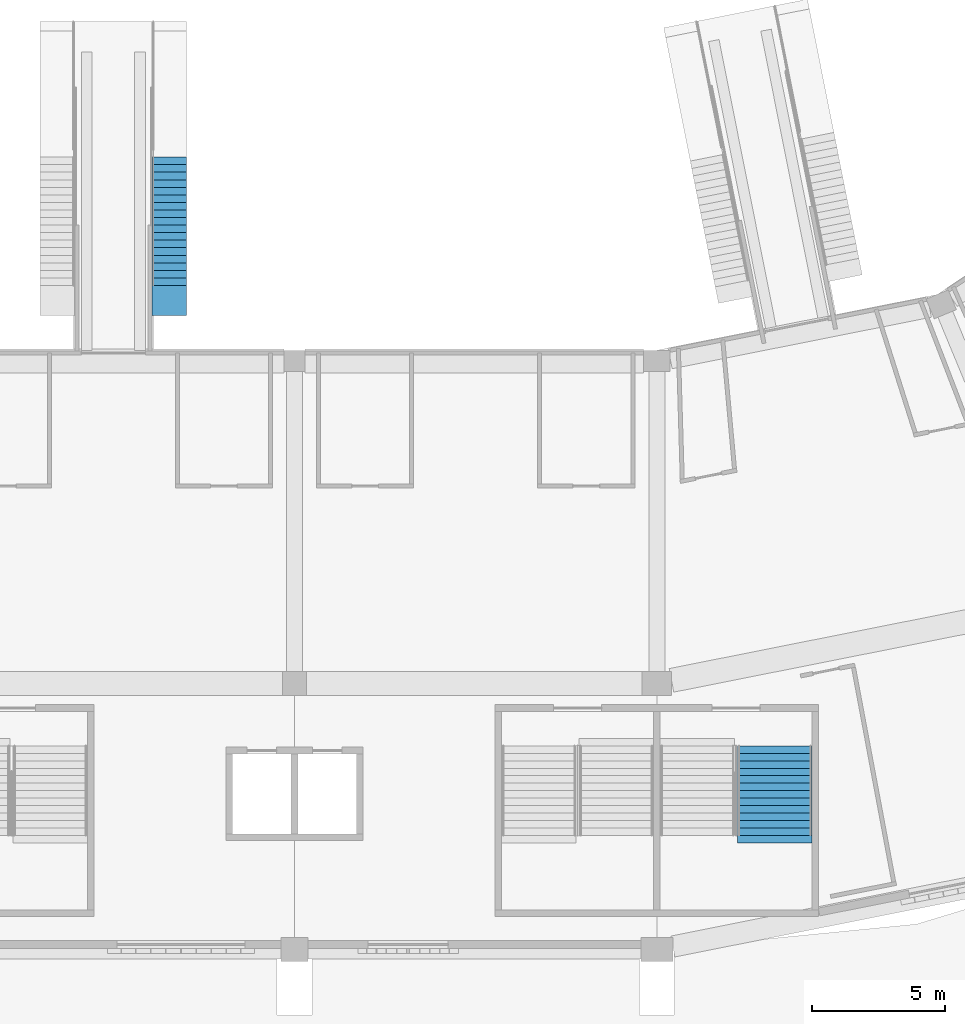
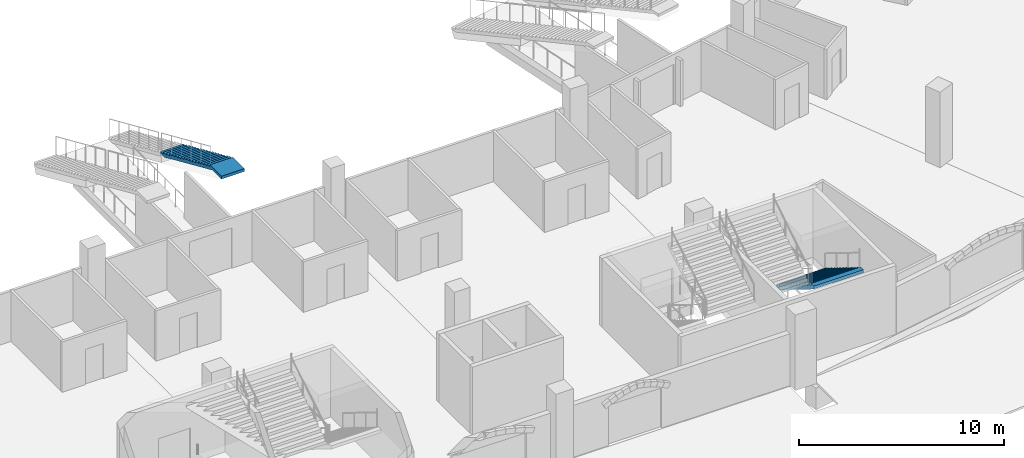
# One storey, part 71 of 175: 2 stair flights, 2 elements without a shape of their own.
"""IFC4 building model written with IfcOpenShell, lengths in metres."""

from ifc_helpers import new_model, si_unit, direction, frame, origin, place, context, subcontext, project, spatial, faceted_brep, material, type_object, element, aggregate, save


model = new_model("IFC4")

# Units and contexts
model_context = context("Model", 3, precision=1e-05, world=origin(), true_north=direction((0.0, 1.0)))
body_context = subcontext(model_context, "Body", "Model", "MODEL_VIEW")
ifc_project = project(units=[si_unit("LENGTHUNIT", "METRE"), si_unit("AREAUNIT", "SQUARE_METRE"), si_unit("VOLUMEUNIT", "CUBIC_METRE"), si_unit("PLANEANGLEUNIT", "RADIAN"), si_unit("MASSUNIT", "GRAM", prefix="KILO")], contexts=[model_context])

# Site, building, storey
site_placement = place(None, origin())
site = spatial("IfcSite", under=ifc_project, at=site_placement, CompositionType="ELEMENT")
building_placement = place(site_placement, origin())
building = spatial("IfcBuilding", under=site, at=building_placement, Name="Ogive Plaza Stadium", CompositionType="ELEMENT")
storey_placement = place(building_placement, origin())
storey = spatial("IfcBuildingStorey", under=building, at=storey_placement, Name="L00", CompositionType="ELEMENT", Elevation=0.0)

# Stair, stair flight
ifc_material_1 = material(Name="Concrete C40/50", Category="concrete")
stair_type_1 = type_object("IfcStairType", Name="Aisle stair", PredefinedType="STRAIGHT_RUN_STAIR", material=ifc_material_1)
stair_1_placement = place(storey_placement, origin())
stair_1 = element("IfcStair", 1, at=stair_1_placement, inside=storey, type_object=stair_type_1, Name="Aisle stair SA13R", PredefinedType="STRAIGHT_RUN_STAIR")
ifc_material_2 = material(Name="Concrete C40/50", Category="concrete")
stair_flight_type_1 = type_object("IfcStairFlightType", Name="Aisle stair flight", PredefinedType="STRAIGHT", material=ifc_material_2)
stair_flight_1_placement = place(storey_placement, frame((15.699951171875, -72.75, 2.25), z_axis=(0.0, 0.0, 1.0), x_axis=(0.0, -1.0, 0.0)))
stair_flight_1 = element("IfcStairFlight", 2, at=stair_flight_1_placement, type_object=stair_flight_type_1, Name="SA13R flight 2", NumberOfRisers=18, NumberOfTreads=17, PredefinedType="STRAIGHT", RiserHeight=0.125, TreadLength=0.283333333, context=body_context, shape_type="Brep", body=[
    faceted_brep([(0.371337890625, -0.64990234375, 0.0), (5.10009765625, -0.64990234375, 2.086181640625), (5.949951171875, -0.64990234375, 2.086181640625), (5.949951171875, -0.64990234375, 2.25), (4.816650390625, -0.64990234375, 2.25), (4.816650390625, -0.64990234375, 2.125), (4.533447265625, -0.64990234375, 2.125), (4.533447265625, -0.64990234375, 2.0), (4.25, -0.64990234375, 2.0), (4.25, -0.64990234375, 1.875), (3.966552734375, -0.64990234375, 1.875), (3.966552734375, -0.64990234375, 1.75), (3.683349609375, -0.64990234375, 1.75), (3.683349609375, -0.64990234375, 1.625), (3.39990234375, -0.64990234375, 1.625), (3.39990234375, -0.64990234375, 1.5), (3.11669921875, -0.64990234375, 1.5), (3.11669921875, -0.64990234375, 1.375), (2.833251953125, -0.64990234375, 1.375), (2.833251953125, -0.64990234375, 1.25), (2.550048828125, -0.64990234375, 1.25), (2.550048828125, -0.64990234375, 1.125), (2.2666015625, -0.64990234375, 1.125), (2.2666015625, -0.64990234375, 1.0), (1.9833984375, -0.64990234375, 1.0), (1.9833984375, -0.64990234375, 0.875), (1.699951171875, -0.64990234375, 0.875), (1.699951171875, -0.64990234375, 0.75), (1.416748046875, -0.64990234375, 0.75), (1.416748046875, -0.64990234375, 0.625), (1.13330078125, -0.64990234375, 0.625), (1.13330078125, -0.64990234375, 0.5), (0.85009765625, -0.64990234375, 0.5), (0.85009765625, -0.64990234375, 0.375), (0.566650390625, -0.64990234375, 0.375), (0.566650390625, -0.64990234375, 0.25), (0.283447265625, -0.64990234375, 0.25), (0.283447265625, -0.64990234375, 0.125), (0.0, -0.64990234375, 0.125), (0.0, -0.64990234375, 0.0), (0.0, 0.64990234375, 0.0), (0.0, 0.64990234375, 0.125), (0.283447265625, 0.64990234375, 0.125), (0.283447265625, 0.64990234375, 0.25), (0.566650390625, 0.64990234375, 0.25), (0.566650390625, 0.64990234375, 0.375), (0.85009765625, 0.64990234375, 0.375), (0.85009765625, 0.64990234375, 0.5), (1.13330078125, 0.64990234375, 0.5), (1.13330078125, 0.64990234375, 0.625), (1.416748046875, 0.64990234375, 0.625), (1.416748046875, 0.64990234375, 0.75), (1.699951171875, 0.64990234375, 0.75), (1.699951171875, 0.64990234375, 0.875), (1.9833984375, 0.64990234375, 0.875), (1.9833984375, 0.64990234375, 1.0), (2.2666015625, 0.64990234375, 1.0), (2.2666015625, 0.64990234375, 1.125), (2.550048828125, 0.64990234375, 1.125), (2.550048828125, 0.64990234375, 1.25), (2.833251953125, 0.64990234375, 1.25), (2.833251953125, 0.64990234375, 1.375), (3.11669921875, 0.64990234375, 1.375), (3.11669921875, 0.64990234375, 1.5), (3.39990234375, 0.64990234375, 1.5), (3.39990234375, 0.64990234375, 1.625), (3.683349609375, 0.64990234375, 1.625), (3.683349609375, 0.64990234375, 1.75), (3.966552734375, 0.64990234375, 1.75), (3.966552734375, 0.64990234375, 1.875), (4.25, 0.64990234375, 1.875), (4.25, 0.64990234375, 2.0), (4.533447265625, 0.64990234375, 2.0), (4.533447265625, 0.64990234375, 2.125), (4.816650390625, 0.64990234375, 2.125), (4.816650390625, 0.64990234375, 2.25), (5.949951171875, 0.64990234375, 2.25), (5.949951171875, 0.64990234375, 2.086181640625), (5.10009765625, 0.64990234375, 2.086181640625), (0.371337890625, 0.64990234375, 0.0), (0.371337890625, -0.324951171875, 0.0), (5.10009765625, -0.324951171875, 2.086181640625), (0.371337890625, 0.0, 0.0), (5.10009765625, 0.0, 2.086181640625), (0.371337890625, 0.324951171875, 0.0), (5.10009765625, 0.324951171875, 2.086181640625), (5.949951171875, -0.324951171875, 2.086181640625), (5.949951171875, 0.0, 2.086181640625), (5.949951171875, 0.324951171875, 2.086181640625), (5.949951171875, -0.324951171875, 2.25), (5.949951171875, 0.0, 2.25), (5.949951171875, 0.324951171875, 2.25), (4.816650390625, -0.324951171875, 2.25), (4.816650390625, 0.0, 2.25), (4.816650390625, 0.324951171875, 2.25), (4.816650390625, -0.324951171875, 2.125), (4.816650390625, 0.0, 2.125), (4.816650390625, 0.324951171875, 2.125), (4.533447265625, -0.324951171875, 2.125), (4.533447265625, 0.0, 2.125), (4.533447265625, 0.324951171875, 2.125), (4.533447265625, -0.324951171875, 2.0), (4.533447265625, 0.0, 2.0), (4.533447265625, 0.324951171875, 2.0), (4.25, -0.324951171875, 2.0), (4.25, 0.0, 2.0), (4.25, 0.324951171875, 2.0), (4.25, -0.324951171875, 1.875), (4.25, 0.0, 1.875), (4.25, 0.324951171875, 1.875), (3.966552734375, -0.324951171875, 1.875), (3.966552734375, 0.0, 1.875), (3.966552734375, 0.324951171875, 1.875), (3.966552734375, -0.324951171875, 1.75), (3.966552734375, 0.0, 1.75), (3.966552734375, 0.324951171875, 1.75), (3.683349609375, -0.324951171875, 1.75), (3.683349609375, 0.0, 1.75), (3.683349609375, 0.324951171875, 1.75), (3.683349609375, -0.324951171875, 1.625), (3.683349609375, 0.0, 1.625), (3.683349609375, 0.324951171875, 1.625), (3.39990234375, -0.324951171875, 1.625), (3.39990234375, 0.0, 1.625), (3.39990234375, 0.324951171875, 1.625), (3.39990234375, -0.324951171875, 1.5), (3.39990234375, 0.0, 1.5), (3.39990234375, 0.324951171875, 1.5), (3.11669921875, -0.324951171875, 1.5), (3.11669921875, 0.0, 1.5), (3.11669921875, 0.324951171875, 1.5), (3.11669921875, -0.324951171875, 1.375), (3.11669921875, 0.0, 1.375), (3.11669921875, 0.324951171875, 1.375), (2.833251953125, -0.324951171875, 1.375), (2.833251953125, 0.0, 1.375), (2.833251953125, 0.324951171875, 1.375), (2.833251953125, -0.324951171875, 1.25), (2.833251953125, 0.0, 1.25), (2.833251953125, 0.324951171875, 1.25), (2.550048828125, -0.324951171875, 1.25), (2.550048828125, 0.0, 1.25), (2.550048828125, 0.324951171875, 1.25), (2.550048828125, -0.324951171875, 1.125), (2.550048828125, 0.0, 1.125), (2.550048828125, 0.324951171875, 1.125), (2.2666015625, -0.324951171875, 1.125), (2.2666015625, 0.0, 1.125), (2.2666015625, 0.324951171875, 1.125), (2.2666015625, -0.324951171875, 1.0), (2.2666015625, 0.0, 1.0), (2.2666015625, 0.324951171875, 1.0), (1.9833984375, -0.324951171875, 1.0), (1.9833984375, 0.0, 1.0), (1.9833984375, 0.324951171875, 1.0), (1.9833984375, -0.324951171875, 0.875), (1.9833984375, 0.0, 0.875), (1.9833984375, 0.324951171875, 0.875), (1.699951171875, -0.324951171875, 0.875), (1.699951171875, 0.0, 0.875), (1.699951171875, 0.324951171875, 0.875), (1.699951171875, -0.324951171875, 0.75), (1.699951171875, 0.0, 0.75), (1.699951171875, 0.324951171875, 0.75), (1.416748046875, -0.324951171875, 0.75), (1.416748046875, 0.0, 0.75), (1.416748046875, 0.324951171875, 0.75), (1.416748046875, -0.324951171875, 0.625), (1.416748046875, 0.0, 0.625), (1.416748046875, 0.324951171875, 0.625), (1.13330078125, -0.324951171875, 0.625), (1.13330078125, 0.0, 0.625), (1.13330078125, 0.324951171875, 0.625), (1.13330078125, -0.324951171875, 0.5), (1.13330078125, 0.0, 0.5), (1.13330078125, 0.324951171875, 0.5), (0.85009765625, -0.324951171875, 0.5), (0.85009765625, 0.0, 0.5), (0.85009765625, 0.324951171875, 0.5), (0.85009765625, -0.324951171875, 0.375), (0.85009765625, 0.0, 0.375), (0.85009765625, 0.324951171875, 0.375), (0.566650390625, -0.324951171875, 0.375), (0.566650390625, 0.0, 0.375), (0.566650390625, 0.324951171875, 0.375), (0.566650390625, -0.324951171875, 0.25), (0.566650390625, 0.0, 0.25), (0.566650390625, 0.324951171875, 0.25), (0.283447265625, -0.324951171875, 0.25), (0.283447265625, 0.0, 0.25), (0.283447265625, 0.324951171875, 0.25), (0.283447265625, -0.324951171875, 0.125), (0.283447265625, 0.0, 0.125), (0.283447265625, 0.324951171875, 0.125), (0.0, -0.324951171875, 0.125), (0.0, 0.0, 0.125), (0.0, 0.324951171875, 0.125), (0.0, -0.324951171875, 0.0), (0.0, 0.0, 0.0), (0.0, 0.324951171875, 0.0)], [[[0, 1, 2, 3, 4, 5, 6, 7, 8, 9, 10, 11, 12, 13, 14, 15, 16, 17, 18, 19, 20, 21, 22, 23, 24, 25, 26, 27, 28, 29, 30, 31, 32, 33, 34, 35, 36, 37, 38, 39]], [[40, 41, 42, 43, 44, 45, 46, 47, 48, 49, 50, 51, 52, 53, 54, 55, 56, 57, 58, 59, 60, 61, 62, 63, 64, 65, 66, 67, 68, 69, 70, 71, 72, 73, 74, 75, 76, 77, 78, 79]], [[0, 80, 81, 1]], [[80, 82, 83, 81]], [[82, 84, 85, 83]], [[84, 79, 78, 85]], [[1, 81, 86, 2]], [[81, 83, 87, 86]], [[83, 85, 88, 87]], [[85, 78, 77, 88]], [[2, 86, 89, 3]], [[86, 87, 90, 89]], [[87, 88, 91, 90]], [[88, 77, 76, 91]], [[3, 89, 92, 4]], [[89, 90, 93, 92]], [[90, 91, 94, 93]], [[91, 76, 75, 94]], [[4, 92, 95, 5]], [[92, 93, 96, 95]], [[93, 94, 97, 96]], [[94, 75, 74, 97]], [[5, 95, 98, 6]], [[95, 96, 99, 98]], [[96, 97, 100, 99]], [[97, 74, 73, 100]], [[6, 98, 101, 7]], [[98, 99, 102, 101]], [[99, 100, 103, 102]], [[100, 73, 72, 103]], [[7, 101, 104, 8]], [[101, 102, 105, 104]], [[102, 103, 106, 105]], [[103, 72, 71, 106]], [[8, 104, 107, 9]], [[104, 105, 108, 107]], [[105, 106, 109, 108]], [[106, 71, 70, 109]], [[9, 107, 110, 10]], [[107, 108, 111, 110]], [[108, 109, 112, 111]], [[109, 70, 69, 112]], [[10, 110, 113, 11]], [[110, 111, 114, 113]], [[111, 112, 115, 114]], [[112, 69, 68, 115]], [[11, 113, 116, 12]], [[113, 114, 117, 116]], [[114, 115, 118, 117]], [[115, 68, 67, 118]], [[12, 116, 119, 13]], [[116, 117, 120, 119]], [[117, 118, 121, 120]], [[118, 67, 66, 121]], [[13, 119, 122, 14]], [[119, 120, 123, 122]], [[120, 121, 124, 123]], [[121, 66, 65, 124]], [[14, 122, 125, 15]], [[122, 123, 126, 125]], [[123, 124, 127, 126]], [[124, 65, 64, 127]], [[15, 125, 128, 16]], [[125, 126, 129, 128]], [[126, 127, 130, 129]], [[127, 64, 63, 130]], [[16, 128, 131, 17]], [[128, 129, 132, 131]], [[129, 130, 133, 132]], [[130, 63, 62, 133]], [[17, 131, 134, 18]], [[131, 132, 135, 134]], [[132, 133, 136, 135]], [[133, 62, 61, 136]], [[18, 134, 137, 19]], [[134, 135, 138, 137]], [[135, 136, 139, 138]], [[136, 61, 60, 139]], [[19, 137, 140, 20]], [[137, 138, 141, 140]], [[138, 139, 142, 141]], [[139, 60, 59, 142]], [[20, 140, 143, 21]], [[140, 141, 144, 143]], [[141, 142, 145, 144]], [[142, 59, 58, 145]], [[21, 143, 146, 22]], [[143, 144, 147, 146]], [[144, 145, 148, 147]], [[145, 58, 57, 148]], [[22, 146, 149, 23]], [[146, 147, 150, 149]], [[147, 148, 151, 150]], [[148, 57, 56, 151]], [[23, 149, 152, 24]], [[149, 150, 153, 152]], [[150, 151, 154, 153]], [[151, 56, 55, 154]], [[24, 152, 155, 25]], [[152, 153, 156, 155]], [[153, 154, 157, 156]], [[154, 55, 54, 157]], [[25, 155, 158, 26]], [[155, 156, 159, 158]], [[156, 157, 160, 159]], [[157, 54, 53, 160]], [[26, 158, 161, 27]], [[158, 159, 162, 161]], [[159, 160, 163, 162]], [[160, 53, 52, 163]], [[27, 161, 164, 28]], [[161, 162, 165, 164]], [[162, 163, 166, 165]], [[163, 52, 51, 166]], [[28, 164, 167, 29]], [[164, 165, 168, 167]], [[165, 166, 169, 168]], [[166, 51, 50, 169]], [[29, 167, 170, 30]], [[167, 168, 171, 170]], [[168, 169, 172, 171]], [[169, 50, 49, 172]], [[30, 170, 173, 31]], [[170, 171, 174, 173]], [[171, 172, 175, 174]], [[172, 49, 48, 175]], [[31, 173, 176, 32]], [[173, 174, 177, 176]], [[174, 175, 178, 177]], [[175, 48, 47, 178]], [[32, 176, 179, 33]], [[176, 177, 180, 179]], [[177, 178, 181, 180]], [[178, 47, 46, 181]], [[33, 179, 182, 34]], [[179, 180, 183, 182]], [[180, 181, 184, 183]], [[181, 46, 45, 184]], [[34, 182, 185, 35]], [[182, 183, 186, 185]], [[183, 184, 187, 186]], [[184, 45, 44, 187]], [[35, 185, 188, 36]], [[185, 186, 189, 188]], [[186, 187, 190, 189]], [[187, 44, 43, 190]], [[36, 188, 191, 37]], [[188, 189, 192, 191]], [[189, 190, 193, 192]], [[190, 43, 42, 193]], [[37, 191, 194, 38]], [[191, 192, 195, 194]], [[192, 193, 196, 195]], [[193, 42, 41, 196]], [[38, 194, 197, 39]], [[194, 195, 198, 197]], [[195, 196, 199, 198]], [[196, 41, 40, 199]], [[39, 197, 80, 0]], [[197, 198, 82, 80]], [[198, 199, 84, 82]], [[199, 40, 79, 84]]]),
])
aggregate(stair_1, [stair_flight_1])

ifc_material_3 = material(Name="Concrete C40/50", Category="concrete")
stair_type_2 = type_object("IfcStairType", Name="Exit stair", PredefinedType="STRAIGHT_RUN_STAIR", material=ifc_material_3)
stair_2_placement = place(storey_placement, origin())
stair_2 = element("IfcStair", 3, at=stair_2_placement, inside=storey, type_object=stair_type_2, Name="Exit stair ST12B L00 to L01", PredefinedType="STRAIGHT_RUN_STAIR")
ifc_material_4 = material(Name="Concrete C40/50", Category="concrete")
stair_flight_type_2 = type_object("IfcStairFlightType", Name="Exit stair flight", PredefinedType="STRAIGHT", material=ifc_material_4)
stair_flight_2_placement = place(storey_placement, frame((38.425048828125, -94.85009765625, 0.0), z_axis=(0.0, 0.0, 1.0), x_axis=(0.0, -1.0, 0.0)))
stair_flight_2 = element("IfcStairFlight", 4, at=stair_flight_2_placement, type_object=stair_flight_type_2, Name="ST12B flight 1", NumberOfRisers=13, NumberOfTreads=12, PredefinedType="STRAIGHT", RiserHeight=0.173076923, TreadLength=0.28, context=body_context, shape_type="Brep", body=[
    faceted_brep([(0.28515625, -1.39990234375, 0.0), (3.639892578125, -1.39990234375, 2.07373046875), (3.639892578125, -1.39990234375, 2.25), (3.360107421875, -1.39990234375, 2.25), (3.360107421875, -1.39990234375, 2.076904296875), (3.080078125, -1.39990234375, 2.076904296875), (3.080078125, -1.39990234375, 1.90380859375), (2.800048828125, -1.39990234375, 1.90380859375), (2.800048828125, -1.39990234375, 1.730712890625), (2.52001953125, -1.39990234375, 1.730712890625), (2.52001953125, -1.39990234375, 1.5576171875), (2.239990234375, -1.39990234375, 1.5576171875), (2.239990234375, -1.39990234375, 1.384521484375), (1.9599609375, -1.39990234375, 1.384521484375), (1.9599609375, -1.39990234375, 1.21142578125), (1.679931640625, -1.39990234375, 1.21142578125), (1.679931640625, -1.39990234375, 1.03857421875), (1.39990234375, -1.39990234375, 1.03857421875), (1.39990234375, -1.39990234375, 0.865478515625), (1.1201171875, -1.39990234375, 0.865478515625), (1.1201171875, -1.39990234375, 0.6923828125), (0.840087890625, -1.39990234375, 0.6923828125), (0.840087890625, -1.39990234375, 0.519287109375), (0.56005859375, -1.39990234375, 0.519287109375), (0.56005859375, -1.39990234375, 0.34619140625), (0.280029296875, -1.39990234375, 0.34619140625), (0.280029296875, -1.39990234375, 0.173095703125), (0.0, -1.39990234375, 0.173095703125), (0.0, -1.39990234375, 0.0), (0.0, 1.39990234375, 0.0), (0.0, 1.39990234375, 0.173095703125), (0.280029296875, 1.39990234375, 0.173095703125), (0.280029296875, 1.39990234375, 0.34619140625), (0.56005859375, 1.39990234375, 0.34619140625), (0.56005859375, 1.39990234375, 0.519287109375), (0.840087890625, 1.39990234375, 0.519287109375), (0.840087890625, 1.39990234375, 0.6923828125), (1.1201171875, 1.39990234375, 0.6923828125), (1.1201171875, 1.39990234375, 0.865478515625), (1.39990234375, 1.39990234375, 0.865478515625), (1.39990234375, 1.39990234375, 1.03857421875), (1.679931640625, 1.39990234375, 1.03857421875), (1.679931640625, 1.39990234375, 1.21142578125), (1.9599609375, 1.39990234375, 1.21142578125), (1.9599609375, 1.39990234375, 1.384521484375), (2.239990234375, 1.39990234375, 1.384521484375), (2.239990234375, 1.39990234375, 1.5576171875), (2.52001953125, 1.39990234375, 1.5576171875), (2.52001953125, 1.39990234375, 1.730712890625), (2.800048828125, 1.39990234375, 1.730712890625), (2.800048828125, 1.39990234375, 1.90380859375), (3.080078125, 1.39990234375, 1.90380859375), (3.080078125, 1.39990234375, 2.076904296875), (3.360107421875, 1.39990234375, 2.076904296875), (3.360107421875, 1.39990234375, 2.25), (3.639892578125, 1.39990234375, 2.25), (3.639892578125, 1.39990234375, 2.07373046875), (0.28515625, 1.39990234375, 0.0), (0.28515625, -1.0888671875, 0.0), (3.639892578125, -1.0888671875, 2.07373046875), (0.28515625, -0.77783203125, 0.0), (3.639892578125, -0.77783203125, 2.07373046875), (0.28515625, -0.466796875, 0.0), (3.639892578125, -0.466796875, 2.07373046875), (0.28515625, -0.155517578125, 0.0), (3.639892578125, -0.155517578125, 2.07373046875), (0.28515625, 0.155517578125, 0.0), (3.639892578125, 0.155517578125, 2.07373046875), (0.28515625, 0.466796875, 0.0), (3.639892578125, 0.466796875, 2.07373046875), (0.28515625, 0.77783203125, 0.0), (3.639892578125, 0.77783203125, 2.07373046875), (0.28515625, 1.0888671875, 0.0), (3.639892578125, 1.0888671875, 2.07373046875), (3.639892578125, -1.0888671875, 2.25), (3.639892578125, -0.77783203125, 2.25), (3.639892578125, -0.466796875, 2.25), (3.639892578125, -0.155517578125, 2.25), (3.639892578125, 0.155517578125, 2.25), (3.639892578125, 0.466796875, 2.25), (3.639892578125, 0.77783203125, 2.25), (3.639892578125, 1.0888671875, 2.25), (3.360107421875, -1.0888671875, 2.25), (3.360107421875, -0.77783203125, 2.25), (3.360107421875, -0.466796875, 2.25), (3.360107421875, -0.155517578125, 2.25), (3.360107421875, 0.155517578125, 2.25), (3.360107421875, 0.466796875, 2.25), (3.360107421875, 0.77783203125, 2.25), (3.360107421875, 1.0888671875, 2.25), (3.360107421875, -1.0888671875, 2.076904296875), (3.360107421875, -0.77783203125, 2.076904296875), (3.360107421875, -0.466796875, 2.076904296875), (3.360107421875, -0.155517578125, 2.076904296875), (3.360107421875, 0.155517578125, 2.076904296875), (3.360107421875, 0.466796875, 2.076904296875), (3.360107421875, 0.77783203125, 2.076904296875), (3.360107421875, 1.0888671875, 2.076904296875), (3.080078125, -1.0888671875, 2.076904296875), (3.080078125, -0.77783203125, 2.076904296875), (3.080078125, -0.466796875, 2.076904296875), (3.080078125, -0.155517578125, 2.076904296875), (3.080078125, 0.155517578125, 2.076904296875), (3.080078125, 0.466796875, 2.076904296875), (3.080078125, 0.77783203125, 2.076904296875), (3.080078125, 1.0888671875, 2.076904296875), (3.080078125, -1.0888671875, 1.90380859375), (3.080078125, -0.77783203125, 1.90380859375), (3.080078125, -0.466796875, 1.90380859375), (3.080078125, -0.155517578125, 1.90380859375), (3.080078125, 0.155517578125, 1.90380859375), (3.080078125, 0.466796875, 1.90380859375), (3.080078125, 0.77783203125, 1.90380859375), (3.080078125, 1.0888671875, 1.90380859375), (2.800048828125, -1.0888671875, 1.90380859375), (2.800048828125, -0.77783203125, 1.90380859375), (2.800048828125, -0.466796875, 1.90380859375), (2.800048828125, -0.155517578125, 1.90380859375), (2.800048828125, 0.155517578125, 1.90380859375), (2.800048828125, 0.466796875, 1.90380859375), (2.800048828125, 0.77783203125, 1.90380859375), (2.800048828125, 1.0888671875, 1.90380859375), (2.800048828125, -1.0888671875, 1.730712890625), (2.800048828125, -0.77783203125, 1.730712890625), (2.800048828125, -0.466796875, 1.730712890625), (2.800048828125, -0.155517578125, 1.730712890625), (2.800048828125, 0.155517578125, 1.730712890625), (2.800048828125, 0.466796875, 1.730712890625), (2.800048828125, 0.77783203125, 1.730712890625), (2.800048828125, 1.0888671875, 1.730712890625), (2.52001953125, -1.0888671875, 1.730712890625), (2.52001953125, -0.77783203125, 1.730712890625), (2.52001953125, -0.466796875, 1.730712890625), (2.52001953125, -0.155517578125, 1.730712890625), (2.52001953125, 0.155517578125, 1.730712890625), (2.52001953125, 0.466796875, 1.730712890625), (2.52001953125, 0.77783203125, 1.730712890625), (2.52001953125, 1.0888671875, 1.730712890625), (2.52001953125, -1.0888671875, 1.5576171875), (2.52001953125, -0.77783203125, 1.5576171875), (2.52001953125, -0.466796875, 1.5576171875), (2.52001953125, -0.155517578125, 1.5576171875), (2.52001953125, 0.155517578125, 1.5576171875), (2.52001953125, 0.466796875, 1.5576171875), (2.52001953125, 0.77783203125, 1.5576171875), (2.52001953125, 1.0888671875, 1.5576171875), (2.239990234375, -1.0888671875, 1.5576171875), (2.239990234375, -0.77783203125, 1.5576171875), (2.239990234375, -0.466796875, 1.5576171875), (2.239990234375, -0.155517578125, 1.5576171875), (2.239990234375, 0.155517578125, 1.5576171875), (2.239990234375, 0.466796875, 1.5576171875), (2.239990234375, 0.77783203125, 1.5576171875), (2.239990234375, 1.0888671875, 1.5576171875), (2.239990234375, -1.0888671875, 1.384521484375), (2.239990234375, -0.77783203125, 1.384521484375), (2.239990234375, -0.466796875, 1.384521484375), (2.239990234375, -0.155517578125, 1.384521484375), (2.239990234375, 0.155517578125, 1.384521484375), (2.239990234375, 0.466796875, 1.384521484375), (2.239990234375, 0.77783203125, 1.384521484375), (2.239990234375, 1.0888671875, 1.384521484375), (1.9599609375, -1.0888671875, 1.384521484375), (1.9599609375, -0.77783203125, 1.384521484375), (1.9599609375, -0.466796875, 1.384521484375), (1.9599609375, -0.155517578125, 1.384521484375), (1.9599609375, 0.155517578125, 1.384521484375), (1.9599609375, 0.466796875, 1.384521484375), (1.9599609375, 0.77783203125, 1.384521484375), (1.9599609375, 1.0888671875, 1.384521484375), (1.9599609375, -1.0888671875, 1.21142578125), (1.9599609375, -0.77783203125, 1.21142578125), (1.9599609375, -0.466796875, 1.21142578125), (1.9599609375, -0.155517578125, 1.21142578125), (1.9599609375, 0.155517578125, 1.21142578125), (1.9599609375, 0.466796875, 1.21142578125), (1.9599609375, 0.77783203125, 1.21142578125), (1.9599609375, 1.0888671875, 1.21142578125), (1.679931640625, -1.0888671875, 1.21142578125), (1.679931640625, -0.77783203125, 1.21142578125), (1.679931640625, -0.466796875, 1.21142578125), (1.679931640625, -0.155517578125, 1.21142578125), (1.679931640625, 0.155517578125, 1.21142578125), (1.679931640625, 0.466796875, 1.21142578125), (1.679931640625, 0.77783203125, 1.21142578125), (1.679931640625, 1.0888671875, 1.21142578125), (1.679931640625, -1.0888671875, 1.03857421875), (1.679931640625, -0.77783203125, 1.03857421875), (1.679931640625, -0.466796875, 1.03857421875), (1.679931640625, -0.155517578125, 1.03857421875), (1.679931640625, 0.155517578125, 1.03857421875), (1.679931640625, 0.466796875, 1.03857421875), (1.679931640625, 0.77783203125, 1.03857421875), (1.679931640625, 1.0888671875, 1.03857421875), (1.39990234375, -1.0888671875, 1.03857421875), (1.39990234375, -0.77783203125, 1.03857421875), (1.39990234375, -0.466796875, 1.03857421875), (1.39990234375, -0.155517578125, 1.03857421875), (1.39990234375, 0.155517578125, 1.03857421875), (1.39990234375, 0.466796875, 1.03857421875), (1.39990234375, 0.77783203125, 1.03857421875), (1.39990234375, 1.0888671875, 1.03857421875), (1.39990234375, -1.0888671875, 0.865478515625), (1.39990234375, -0.77783203125, 0.865478515625), (1.39990234375, -0.466796875, 0.865478515625), (1.39990234375, -0.155517578125, 0.865478515625), (1.39990234375, 0.155517578125, 0.865478515625), (1.39990234375, 0.466796875, 0.865478515625), (1.39990234375, 0.77783203125, 0.865478515625), (1.39990234375, 1.0888671875, 0.865478515625), (1.1201171875, -1.0888671875, 0.865478515625), (1.1201171875, -0.77783203125, 0.865478515625), (1.1201171875, -0.466796875, 0.865478515625), (1.1201171875, -0.155517578125, 0.865478515625), (1.1201171875, 0.155517578125, 0.865478515625), (1.1201171875, 0.466796875, 0.865478515625), (1.1201171875, 0.77783203125, 0.865478515625), (1.1201171875, 1.0888671875, 0.865478515625), (1.1201171875, -1.0888671875, 0.6923828125), (1.1201171875, -0.77783203125, 0.6923828125), (1.1201171875, -0.466796875, 0.6923828125), (1.1201171875, -0.155517578125, 0.6923828125), (1.1201171875, 0.155517578125, 0.6923828125), (1.1201171875, 0.466796875, 0.6923828125), (1.1201171875, 0.77783203125, 0.6923828125), (1.1201171875, 1.0888671875, 0.6923828125), (0.840087890625, -1.0888671875, 0.6923828125), (0.840087890625, -0.77783203125, 0.6923828125), (0.840087890625, -0.466796875, 0.6923828125), (0.840087890625, -0.155517578125, 0.6923828125), (0.840087890625, 0.155517578125, 0.6923828125), (0.840087890625, 0.466796875, 0.6923828125), (0.840087890625, 0.77783203125, 0.6923828125), (0.840087890625, 1.0888671875, 0.6923828125), (0.840087890625, -1.0888671875, 0.519287109375), (0.840087890625, -0.77783203125, 0.519287109375), (0.840087890625, -0.466796875, 0.519287109375), (0.840087890625, -0.155517578125, 0.519287109375), (0.840087890625, 0.155517578125, 0.519287109375), (0.840087890625, 0.466796875, 0.519287109375), (0.840087890625, 0.77783203125, 0.519287109375), (0.840087890625, 1.0888671875, 0.519287109375), (0.56005859375, -1.0888671875, 0.519287109375), (0.56005859375, -0.77783203125, 0.519287109375), (0.56005859375, -0.466796875, 0.519287109375), (0.56005859375, -0.155517578125, 0.519287109375), (0.56005859375, 0.155517578125, 0.519287109375), (0.56005859375, 0.466796875, 0.519287109375), (0.56005859375, 0.77783203125, 0.519287109375), (0.56005859375, 1.0888671875, 0.519287109375), (0.56005859375, -1.0888671875, 0.34619140625), (0.56005859375, -0.77783203125, 0.34619140625), (0.56005859375, -0.466796875, 0.34619140625), (0.56005859375, -0.155517578125, 0.34619140625), (0.56005859375, 0.155517578125, 0.34619140625), (0.56005859375, 0.466796875, 0.34619140625), (0.56005859375, 0.77783203125, 0.34619140625), (0.56005859375, 1.0888671875, 0.34619140625), (0.280029296875, -1.0888671875, 0.34619140625), (0.280029296875, -0.77783203125, 0.34619140625), (0.280029296875, -0.466796875, 0.34619140625), (0.280029296875, -0.155517578125, 0.34619140625), (0.280029296875, 0.155517578125, 0.34619140625), (0.280029296875, 0.466796875, 0.34619140625), (0.280029296875, 0.77783203125, 0.34619140625), (0.280029296875, 1.0888671875, 0.34619140625), (0.280029296875, -1.0888671875, 0.173095703125), (0.280029296875, -0.77783203125, 0.173095703125), (0.280029296875, -0.466796875, 0.173095703125), (0.280029296875, -0.155517578125, 0.173095703125), (0.280029296875, 0.155517578125, 0.173095703125), (0.280029296875, 0.466796875, 0.173095703125), (0.280029296875, 0.77783203125, 0.173095703125), (0.280029296875, 1.0888671875, 0.173095703125), (0.0, -1.0888671875, 0.173095703125), (0.0, -0.77783203125, 0.173095703125), (0.0, -0.466796875, 0.173095703125), (0.0, -0.155517578125, 0.173095703125), (0.0, 0.155517578125, 0.173095703125), (0.0, 0.466796875, 0.173095703125), (0.0, 0.77783203125, 0.173095703125), (0.0, 1.0888671875, 0.173095703125), (0.0, -1.0888671875, 0.0), (0.0, -0.77783203125, 0.0), (0.0, -0.466796875, 0.0), (0.0, -0.155517578125, 0.0), (0.0, 0.155517578125, 0.0), (0.0, 0.466796875, 0.0), (0.0, 0.77783203125, 0.0), (0.0, 1.0888671875, 0.0)], [[[0, 1, 2, 3, 4, 5, 6, 7, 8, 9, 10, 11, 12, 13, 14, 15, 16, 17, 18, 19, 20, 21, 22, 23, 24, 25, 26, 27, 28]], [[29, 30, 31, 32, 33, 34, 35, 36, 37, 38, 39, 40, 41, 42, 43, 44, 45, 46, 47, 48, 49, 50, 51, 52, 53, 54, 55, 56, 57]], [[0, 58, 59, 1]], [[58, 60, 61, 59]], [[60, 62, 63, 61]], [[62, 64, 65, 63]], [[64, 66, 67, 65]], [[66, 68, 69, 67]], [[68, 70, 71, 69]], [[70, 72, 73, 71]], [[72, 57, 56, 73]], [[1, 59, 74, 2]], [[59, 61, 75, 74]], [[61, 63, 76, 75]], [[63, 65, 77, 76]], [[65, 67, 78, 77]], [[67, 69, 79, 78]], [[69, 71, 80, 79]], [[71, 73, 81, 80]], [[73, 56, 55, 81]], [[2, 74, 82, 3]], [[74, 75, 83, 82]], [[75, 76, 84, 83]], [[76, 77, 85, 84]], [[77, 78, 86, 85]], [[78, 79, 87, 86]], [[79, 80, 88, 87]], [[80, 81, 89, 88]], [[81, 55, 54, 89]], [[3, 82, 90, 4]], [[82, 83, 91, 90]], [[83, 84, 92, 91]], [[84, 85, 93, 92]], [[85, 86, 94, 93]], [[86, 87, 95, 94]], [[87, 88, 96, 95]], [[88, 89, 97, 96]], [[89, 54, 53, 97]], [[4, 90, 98, 5]], [[90, 91, 99, 98]], [[91, 92, 100, 99]], [[92, 93, 101, 100]], [[93, 94, 102, 101]], [[94, 95, 103, 102]], [[95, 96, 104, 103]], [[96, 97, 105, 104]], [[97, 53, 52, 105]], [[5, 98, 106, 6]], [[98, 99, 107, 106]], [[99, 100, 108, 107]], [[100, 101, 109, 108]], [[101, 102, 110, 109]], [[102, 103, 111, 110]], [[103, 104, 112, 111]], [[104, 105, 113, 112]], [[105, 52, 51, 113]], [[6, 106, 114, 7]], [[106, 107, 115, 114]], [[107, 108, 116, 115]], [[108, 109, 117, 116]], [[109, 110, 118, 117]], [[110, 111, 119, 118]], [[111, 112, 120, 119]], [[112, 113, 121, 120]], [[113, 51, 50, 121]], [[7, 114, 122, 8]], [[114, 115, 123, 122]], [[115, 116, 124, 123]], [[116, 117, 125, 124]], [[117, 118, 126, 125]], [[118, 119, 127, 126]], [[119, 120, 128, 127]], [[120, 121, 129, 128]], [[121, 50, 49, 129]], [[8, 122, 130, 9]], [[122, 123, 131, 130]], [[123, 124, 132, 131]], [[124, 125, 133, 132]], [[125, 126, 134, 133]], [[126, 127, 135, 134]], [[127, 128, 136, 135]], [[128, 129, 137, 136]], [[129, 49, 48, 137]], [[9, 130, 138, 10]], [[130, 131, 139, 138]], [[131, 132, 140, 139]], [[132, 133, 141, 140]], [[133, 134, 142, 141]], [[134, 135, 143, 142]], [[135, 136, 144, 143]], [[136, 137, 145, 144]], [[137, 48, 47, 145]], [[10, 138, 146, 11]], [[138, 139, 147, 146]], [[139, 140, 148, 147]], [[140, 141, 149, 148]], [[141, 142, 150, 149]], [[142, 143, 151, 150]], [[143, 144, 152, 151]], [[144, 145, 153, 152]], [[145, 47, 46, 153]], [[11, 146, 154, 12]], [[146, 147, 155, 154]], [[147, 148, 156, 155]], [[148, 149, 157, 156]], [[149, 150, 158, 157]], [[150, 151, 159, 158]], [[151, 152, 160, 159]], [[152, 153, 161, 160]], [[153, 46, 45, 161]], [[12, 154, 162, 13]], [[154, 155, 163, 162]], [[155, 156, 164, 163]], [[156, 157, 165, 164]], [[157, 158, 166, 165]], [[158, 159, 167, 166]], [[159, 160, 168, 167]], [[160, 161, 169, 168]], [[161, 45, 44, 169]], [[13, 162, 170, 14]], [[162, 163, 171, 170]], [[163, 164, 172, 171]], [[164, 165, 173, 172]], [[165, 166, 174, 173]], [[166, 167, 175, 174]], [[167, 168, 176, 175]], [[168, 169, 177, 176]], [[169, 44, 43, 177]], [[14, 170, 178, 15]], [[170, 171, 179, 178]], [[171, 172, 180, 179]], [[172, 173, 181, 180]], [[173, 174, 182, 181]], [[174, 175, 183, 182]], [[175, 176, 184, 183]], [[176, 177, 185, 184]], [[177, 43, 42, 185]], [[15, 178, 186, 16]], [[178, 179, 187, 186]], [[179, 180, 188, 187]], [[180, 181, 189, 188]], [[181, 182, 190, 189]], [[182, 183, 191, 190]], [[183, 184, 192, 191]], [[184, 185, 193, 192]], [[185, 42, 41, 193]], [[16, 186, 194, 17]], [[186, 187, 195, 194]], [[187, 188, 196, 195]], [[188, 189, 197, 196]], [[189, 190, 198, 197]], [[190, 191, 199, 198]], [[191, 192, 200, 199]], [[192, 193, 201, 200]], [[193, 41, 40, 201]], [[17, 194, 202, 18]], [[194, 195, 203, 202]], [[195, 196, 204, 203]], [[196, 197, 205, 204]], [[197, 198, 206, 205]], [[198, 199, 207, 206]], [[199, 200, 208, 207]], [[200, 201, 209, 208]], [[201, 40, 39, 209]], [[18, 202, 210, 19]], [[202, 203, 211, 210]], [[203, 204, 212, 211]], [[204, 205, 213, 212]], [[205, 206, 214, 213]], [[206, 207, 215, 214]], [[207, 208, 216, 215]], [[208, 209, 217, 216]], [[209, 39, 38, 217]], [[19, 210, 218, 20]], [[210, 211, 219, 218]], [[211, 212, 220, 219]], [[212, 213, 221, 220]], [[213, 214, 222, 221]], [[214, 215, 223, 222]], [[215, 216, 224, 223]], [[216, 217, 225, 224]], [[217, 38, 37, 225]], [[20, 218, 226, 21]], [[218, 219, 227, 226]], [[219, 220, 228, 227]], [[220, 221, 229, 228]], [[221, 222, 230, 229]], [[222, 223, 231, 230]], [[223, 224, 232, 231]], [[224, 225, 233, 232]], [[225, 37, 36, 233]], [[21, 226, 234, 22]], [[226, 227, 235, 234]], [[227, 228, 236, 235]], [[228, 229, 237, 236]], [[229, 230, 238, 237]], [[230, 231, 239, 238]], [[231, 232, 240, 239]], [[232, 233, 241, 240]], [[233, 36, 35, 241]], [[22, 234, 242, 23]], [[234, 235, 243, 242]], [[235, 236, 244, 243]], [[236, 237, 245, 244]], [[237, 238, 246, 245]], [[238, 239, 247, 246]], [[239, 240, 248, 247]], [[240, 241, 249, 248]], [[241, 35, 34, 249]], [[23, 242, 250, 24]], [[242, 243, 251, 250]], [[243, 244, 252, 251]], [[244, 245, 253, 252]], [[245, 246, 254, 253]], [[246, 247, 255, 254]], [[247, 248, 256, 255]], [[248, 249, 257, 256]], [[249, 34, 33, 257]], [[24, 250, 258, 25]], [[250, 251, 259, 258]], [[251, 252, 260, 259]], [[252, 253, 261, 260]], [[253, 254, 262, 261]], [[254, 255, 263, 262]], [[255, 256, 264, 263]], [[256, 257, 265, 264]], [[257, 33, 32, 265]], [[25, 258, 266, 26]], [[258, 259, 267, 266]], [[259, 260, 268, 267]], [[260, 261, 269, 268]], [[261, 262, 270, 269]], [[262, 263, 271, 270]], [[263, 264, 272, 271]], [[264, 265, 273, 272]], [[265, 32, 31, 273]], [[26, 266, 274, 27]], [[266, 267, 275, 274]], [[267, 268, 276, 275]], [[268, 269, 277, 276]], [[269, 270, 278, 277]], [[270, 271, 279, 278]], [[271, 272, 280, 279]], [[272, 273, 281, 280]], [[273, 31, 30, 281]], [[27, 274, 282, 28]], [[274, 275, 283, 282]], [[275, 276, 284, 283]], [[276, 277, 285, 284]], [[277, 278, 286, 285]], [[278, 279, 287, 286]], [[279, 280, 288, 287]], [[280, 281, 289, 288]], [[281, 30, 29, 289]], [[28, 282, 58, 0]], [[282, 283, 60, 58]], [[283, 284, 62, 60]], [[284, 285, 64, 62]], [[285, 286, 66, 64]], [[286, 287, 68, 66]], [[287, 288, 70, 68]], [[288, 289, 72, 70]], [[289, 29, 57, 72]]]),
])
aggregate(stair_2, [stair_flight_2])

save(model, "model.ifc")
